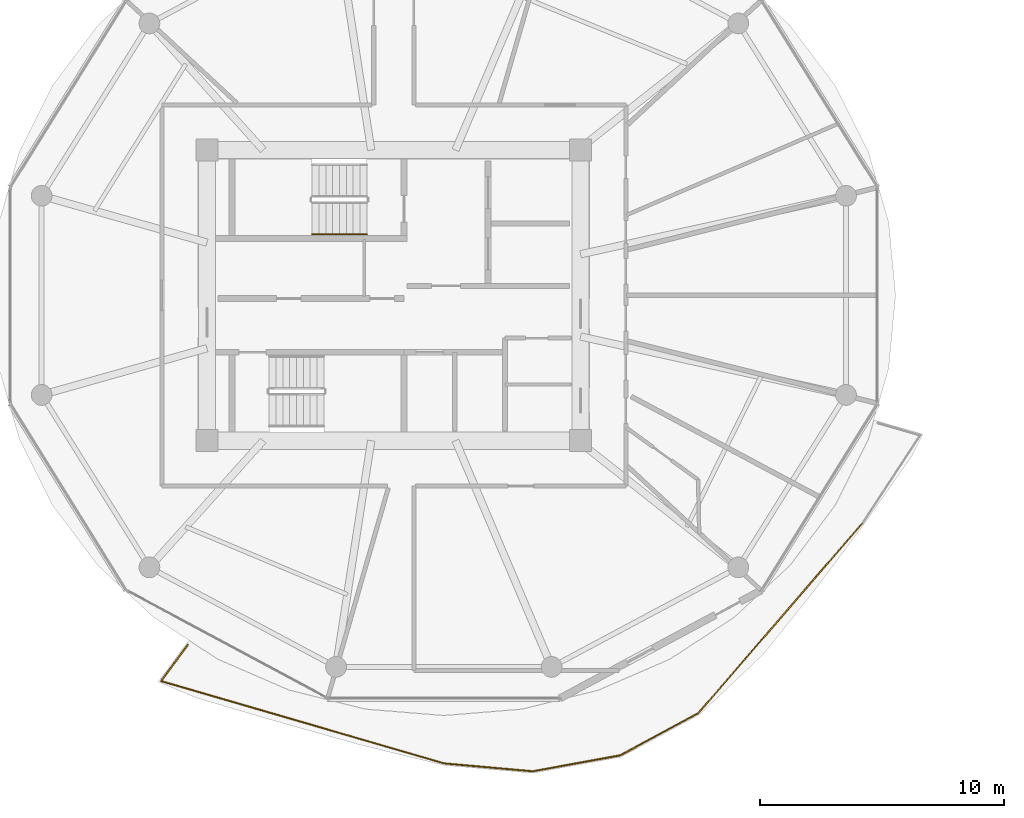
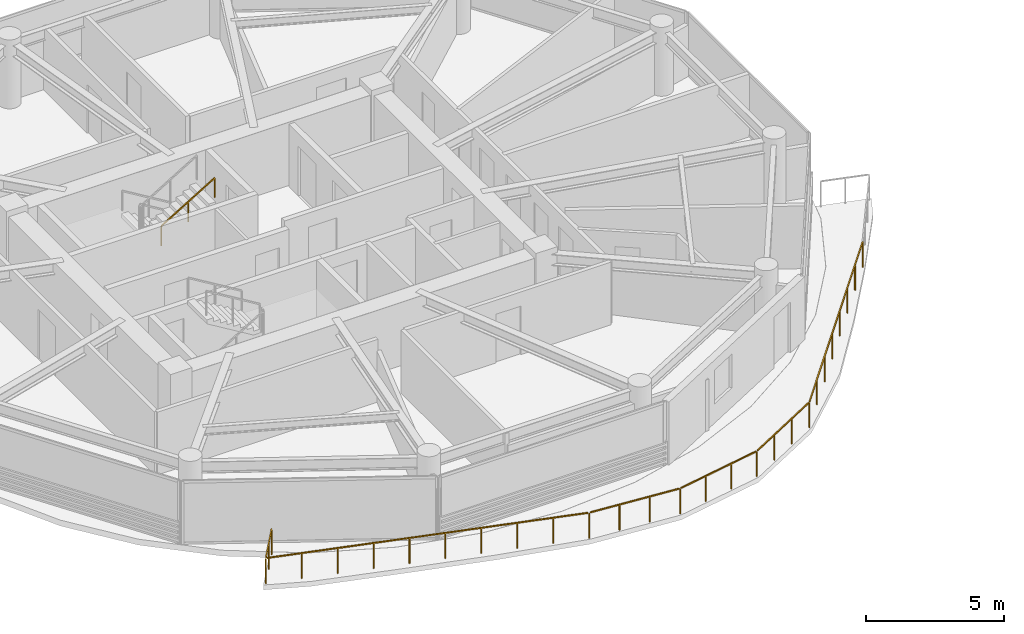
# One storey, part 20 of 24: 2 railings.
"""IFC4 building model written with IfcOpenShell, lengths in metres."""

from ifc_helpers import new_model, si_unit, direction, frame, origin, origin_2d, place, context, subcontext, project, spatial, rectangle, extrude, material, type_object, element, save


model = new_model("IFC4")

# Units and contexts
model_context = context("Model", 3, precision=1e-05, world=origin(), true_north=direction((0.0, 1.0)))
body_context = subcontext(model_context, "Body", "Model", "MODEL_VIEW")
ifc_project = project(units=[si_unit("LENGTHUNIT", "METRE"), si_unit("AREAUNIT", "SQUARE_METRE"), si_unit("VOLUMEUNIT", "CUBIC_METRE"), si_unit("PLANEANGLEUNIT", "RADIAN"), si_unit("MASSUNIT", "GRAM", prefix="KILO")], contexts=[model_context])

# Site, building, storey
site_placement = place(None, origin())
site = spatial("IfcSite", under=ifc_project, at=site_placement, CompositionType="ELEMENT")
building_placement = place(site_placement, origin())
building = spatial("IfcBuilding", under=site, at=building_placement, Name="Norrkilde Senior Care Towers", CompositionType="ELEMENT")
storey_placement = place(building_placement, frame((0.0, 0.0, 111.5)))
storey = spatial("IfcBuildingStorey", under=building, at=storey_placement, Name="L34", CompositionType="ELEMENT", Elevation=111.5)

# Railings
ifc_material_1 = material(Name="Anodised Aluminium", Category="aluminium")
railing_type_1 = type_object("IfcRailingType", Name="Balcony Swirl Ribbon Guardrail 1150", PredefinedType="GUARDRAIL", material=ifc_material_1)
railing_1_placement = place(storey_placement, frame((-8.78955078125, -9.300537109375, 0.0)))
element("IfcRailing", 1, at=railing_1_placement, inside=storey, type_object=railing_type_1, Name="L34 Perimeter Safety Guard 03", PredefinedType="GUARDRAIL", context=body_context, shape_type="SweptSolid", body=[
    extrude(rectangle(XDim=0.048095703125, YDim=0.048095703125, at=origin_2d()), frame((0.0, 0.0, 1.1259765625), z_axis=(-0.653505800915, -0.756921507271, 0.0), x_axis=(0.756921507271, -0.653505800915, 0.0)), (0.0, 0.0, 1.0), 10.2685546875),
    extrude(rectangle(XDim=0.048095703125, YDim=0.048095703125, at=origin_2d()), frame((-6.773193359375, -7.822998046875, 1.1259765625), z_axis=(-0.879560514045, -0.47578703443, 0.0), x_axis=(0.47578703443, -0.879560514045, 0.0)), (0.0, 0.0, 1.0), 3.549072265625),
    extrude(rectangle(XDim=0.048095703125, YDim=0.048095703125, at=origin_2d()), frame((-9.97119140625, -9.538330078125, 1.1259765625), z_axis=(-0.983769129526, -0.179438846939, 0.0), x_axis=(0.179438846939, -0.983769129526, 0.0)), (0.0, 0.0, 1.0), 3.5673828125),
    extrude(rectangle(XDim=0.048095703125, YDim=0.048095703125, at=origin_2d()), frame((-13.5615234375, -10.18212890625, 1.1259765625), z_axis=(-0.996092983624, 0.088310633419, 0.0), x_axis=(-0.088310633419, -0.996092983624, 0.0)), (0.0, 0.0, 1.0), 3.55908203125),
    extrude(rectangle(XDim=0.048095703125, YDim=0.048095703125, at=origin_2d()), frame((-17.186767578125, -9.852783203125, 1.1259765625), z_axis=(-0.960181685311, 0.279376325397, 0.0), x_axis=(-0.279376325397, -0.960181685311, 0.0)), (0.0, 0.0, 1.0), 11.989990234375),
    extrude(rectangle(XDim=0.048095703125, YDim=0.048095703125, at=origin_2d()), frame((-28.714111328125, -6.458740234375, 1.1259765625), z_axis=(0.594565925356, 0.804046864558, 0.0), x_axis=(-0.804046864558, 0.594565925356, 0.0)), (0.0, 0.0, 1.0), 1.803955078125),
    extrude(rectangle(XDim=0.0419921875, YDim=0.0419921875, at=origin_2d()), origin(), (0.0, 0.0, 1.0), 1.099853515625),
    extrude(rectangle(XDim=0.0419921875, YDim=0.0419921875, at=origin_2d()), frame((-0.96240234375, -1.11474609375, 0.0)), (0.0, 0.0, 1.0), 1.099853515625),
    extrude(rectangle(XDim=0.0419921875, YDim=0.0419921875, at=origin_2d()), frame((-1.925048828125, -2.2294921875, 0.0)), (0.0, 0.0, 1.0), 1.099853515625),
    extrude(rectangle(XDim=0.0419921875, YDim=0.0419921875, at=origin_2d()), frame((-2.887451171875, -3.34423828125, 0.0)), (0.0, 0.0, 1.0), 1.099853515625),
    extrude(rectangle(XDim=0.0419921875, YDim=0.0419921875, at=origin_2d()), frame((-3.849853515625, -4.459228515625, 0.0)), (0.0, 0.0, 1.0), 1.099853515625),
    extrude(rectangle(XDim=0.0419921875, YDim=0.0419921875, at=origin_2d()), frame((-4.812255859375, -5.573974609375, 0.0)), (0.0, 0.0, 1.0), 1.099853515625),
    extrude(rectangle(XDim=0.0419921875, YDim=0.0419921875, at=origin_2d()), frame((-5.77490234375, -6.688720703125, 0.0)), (0.0, 0.0, 1.0), 1.099853515625),
    extrude(rectangle(XDim=0.0419921875, YDim=0.0419921875, at=origin_2d()), frame((-6.7373046875, -7.803466796875, 0.0)), (0.0, 0.0, 1.0), 1.099853515625),
    extrude(rectangle(XDim=0.0419921875, YDim=0.0419921875, at=origin_2d()), frame((-7.8017578125, -8.37939453125, 0.0)), (0.0, 0.0, 1.0), 1.099853515625),
    extrude(rectangle(XDim=0.0419921875, YDim=0.0419921875, at=origin_2d()), frame((-8.866455078125, -8.955078125, 0.0)), (0.0, 0.0, 1.0), 1.099853515625),
    extrude(rectangle(XDim=0.0419921875, YDim=0.0419921875, at=origin_2d()), frame((-9.930908203125, -9.531005859375, 0.0)), (0.0, 0.0, 1.0), 1.099853515625),
    extrude(rectangle(XDim=0.0419921875, YDim=0.0419921875, at=origin_2d()), frame((-11.12744140625, -9.749267578125, 0.0)), (0.0, 0.0, 1.0), 1.099853515625),
    extrude(rectangle(XDim=0.0419921875, YDim=0.0419921875, at=origin_2d()), frame((-12.32421875, -9.967529296875, 0.0)), (0.0, 0.0, 1.0), 1.099853515625),
    extrude(rectangle(XDim=0.0419921875, YDim=0.0419921875, at=origin_2d()), frame((-13.520751953125, -10.185791015625, 0.0)), (0.0, 0.0, 1.0), 1.099853515625),
    extrude(rectangle(XDim=0.0419921875, YDim=0.0419921875, at=origin_2d()), frame((-14.729736328125, -10.07861328125, 0.0)), (0.0, 0.0, 1.0), 1.099853515625),
    extrude(rectangle(XDim=0.0419921875, YDim=0.0419921875, at=origin_2d()), frame((-15.9384765625, -9.971435546875, 0.0)), (0.0, 0.0, 1.0), 1.099853515625),
    extrude(rectangle(XDim=0.0419921875, YDim=0.0419921875, at=origin_2d()), frame((-17.1474609375, -9.8642578125, 0.0)), (0.0, 0.0, 1.0), 1.099853515625),
    extrude(rectangle(XDim=0.0419921875, YDim=0.0419921875, at=origin_2d()), frame((-18.435302734375, -9.489501953125, 0.0)), (0.0, 0.0, 1.0), 1.099853515625),
    extrude(rectangle(XDim=0.0419921875, YDim=0.0419921875, at=origin_2d()), frame((-19.72314453125, -9.11474609375, 0.0)), (0.0, 0.0, 1.0), 1.099853515625),
    extrude(rectangle(XDim=0.0419921875, YDim=0.0419921875, at=origin_2d()), frame((-21.01123046875, -8.739990234375, 0.0)), (0.0, 0.0, 1.0), 1.099853515625),
    extrude(rectangle(XDim=0.0419921875, YDim=0.0419921875, at=origin_2d()), frame((-22.299072265625, -8.365234375, 0.0)), (0.0, 0.0, 1.0), 1.099853515625),
    extrude(rectangle(XDim=0.0419921875, YDim=0.0419921875, at=origin_2d()), frame((-23.5869140625, -7.99072265625, 0.0)), (0.0, 0.0, 1.0), 1.099853515625),
    extrude(rectangle(XDim=0.0419921875, YDim=0.0419921875, at=origin_2d()), frame((-24.874755859375, -7.615966796875, 0.0)), (0.0, 0.0, 1.0), 1.099853515625),
    extrude(rectangle(XDim=0.0419921875, YDim=0.0419921875, at=origin_2d()), frame((-26.162841796875, -7.2412109375, 0.0)), (0.0, 0.0, 1.0), 1.099853515625),
    extrude(rectangle(XDim=0.0419921875, YDim=0.0419921875, at=origin_2d()), frame((-27.45068359375, -6.866455078125, 0.0)), (0.0, 0.0, 1.0), 1.099853515625),
    extrude(rectangle(XDim=0.0419921875, YDim=0.0419921875, at=origin_2d()), frame((-28.738525390625, -6.49169921875, 0.0)), (0.0, 0.0, 1.0), 1.099853515625),
    extrude(rectangle(XDim=0.0419921875, YDim=0.0419921875, at=origin_2d()), frame((-28.18994140625, -5.75, 0.0)), (0.0, 0.0, 1.0), 1.099853515625),
    extrude(rectangle(XDim=0.0419921875, YDim=0.0419921875, at=origin_2d()), frame((-27.6416015625, -5.00830078125, 0.0)), (0.0, 0.0, 1.0), 1.099853515625),
])
ifc_material_2 = material(Name="Nordic Ash Timber", Category="wood")
railing_type_2 = type_object("IfcRailingType", Name="Wall and Stair Handrail 900", PredefinedType="HANDRAIL", material=ifc_material_2)
railing_2_placement = place(storey_placement, frame((-31.340087890625, 2.5, 1.6943359375)))
element("IfcRailing", 2, at=railing_2_placement, inside=storey, type_object=railing_type_2, Name="L34 ST-W1 stair handrail 2", PredefinedType="HANDRAIL", context=body_context, shape_type="SweptSolid", body=[
    extrude(rectangle(XDim=0.048095703125, YDim=0.048095703125, at=origin_2d()), frame((0.0, 0.0, 0.8759765625), z_axis=(0.855512035549, 0.0, 0.517782924622), x_axis=(0.0, 1.0, 0.0)), (0.0, 0.0, 1.0), 2.618408203125),
    extrude(rectangle(XDim=0.0419921875, YDim=0.0419921875, at=origin_2d()), origin(), (0.0, 0.0, 1.0), 0.849853515625),
    extrude(rectangle(XDim=0.0419921875, YDim=0.0419921875, at=origin_2d()), frame((1.1201171875, 0.0, 0.677734375)), (0.0, 0.0, 1.0), 0.849853515625),
    extrude(rectangle(XDim=0.0419921875, YDim=0.0419921875, at=origin_2d()), frame((2.239990234375, 0.0, 1.355712890625)), (0.0, 0.0, 1.0), 0.849853515625),
])

save(model, "model.ifc")
